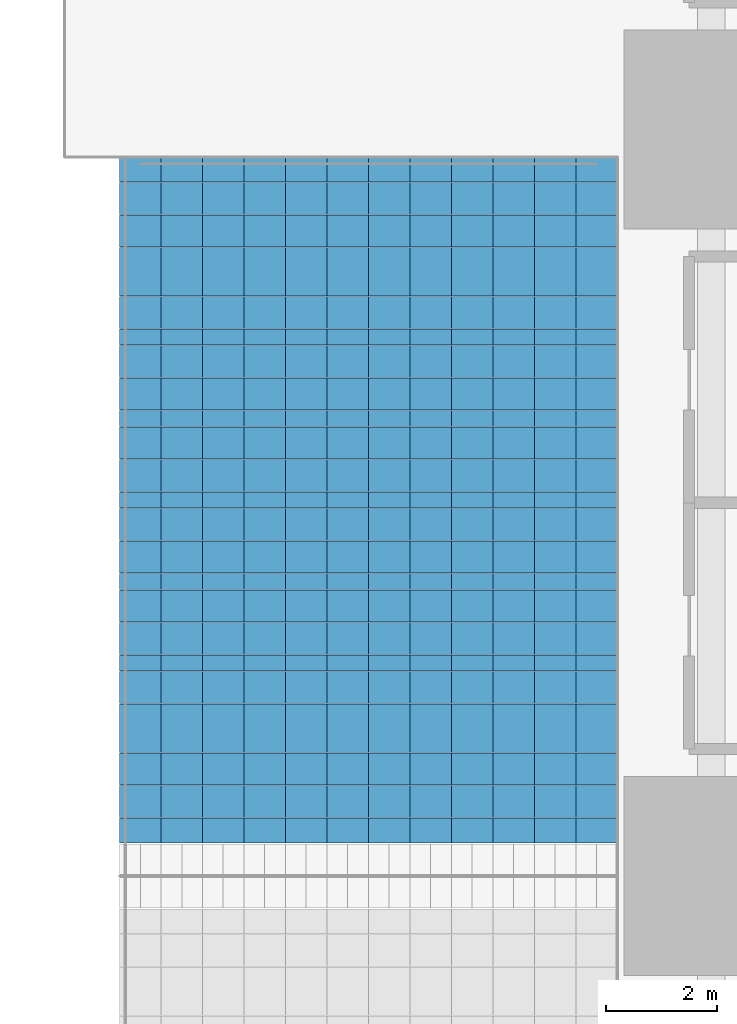
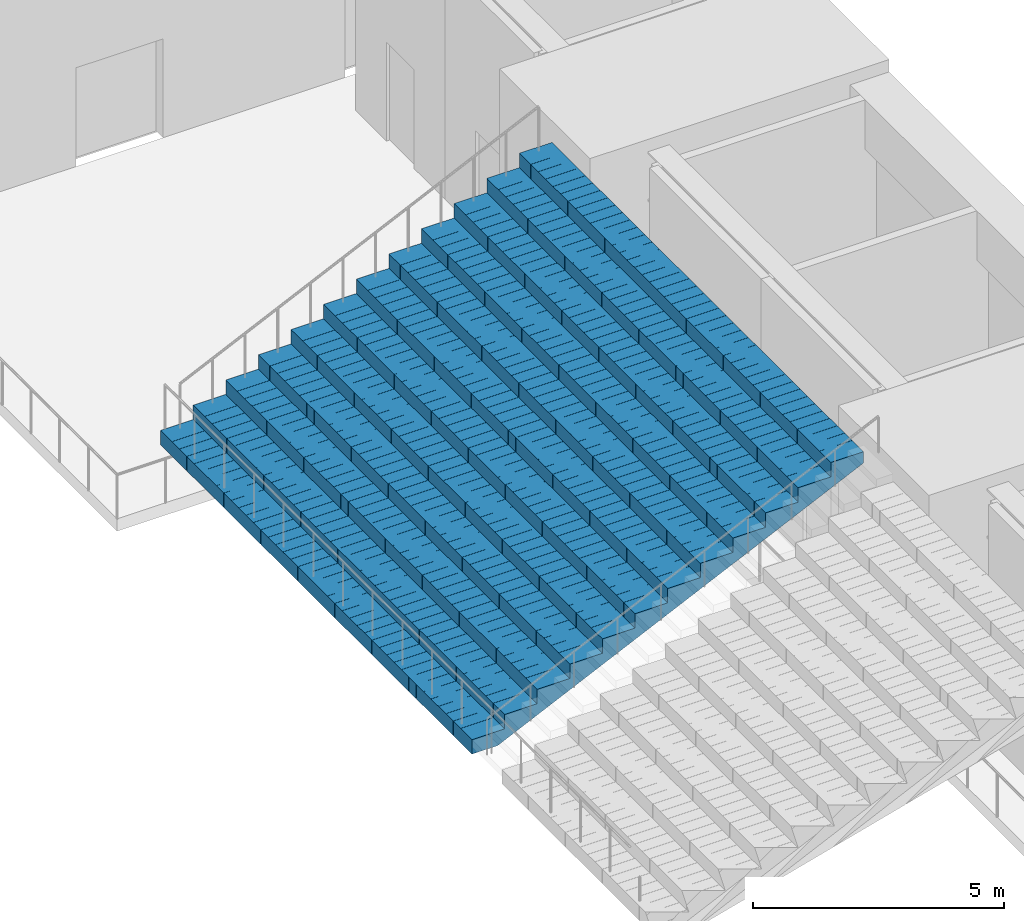
# One storey, part 26 of 61: 1 slab.
"""IFC4 building model written with IfcOpenShell, lengths in metres."""

import ifcopenshell
import ifcopenshell.guid

model = None  # the IFC model being written
_history = None  # IfcOwnerHistory: only IFC2X3 demands one
_inside = {}  # id of a spatial element -> (the spatial element, [elements in it])
_under = {}  # id of a project, library or spatial element -> (it, [spatial elements below it])
_declared = {}  # id of a project -> (the project, [libraries it declares])
_typed = {}  # id of a type object -> (the type object, [elements of that type])
_made_of = {}  # id of a material, layer set ... -> (it, [elements and type objects made of it])


def new_model(schema):
    """Start an empty IFC model of exactly this schema.

    Asked for "IFC4X3", IfcOpenShell would pick the latest addendum, in which some entities
    have other attributes; the version numbers below select the first issue.
    IFC2X3 requires an IfcOwnerHistory on every rooted entity: one is made here for all.
    """
    global model, _history
    if schema == "IFC4X3":
        model = ifcopenshell.file(schema_version=(4, 3, 0, 0))
    else:
        model = ifcopenshell.file(schema=schema)
    _inside.clear()
    _under.clear()
    _declared.clear()
    _typed.clear()
    _made_of.clear()
    _history = None
    if model.schema == "IFC2X3":
        org = make("IfcOrganization", Name="unknown")
        user = make(
            "IfcPersonAndOrganization",
            ThePerson=make("IfcPerson", FamilyName="unknown"),
            TheOrganization=org,
        )
        app = make(
            "IfcApplication",
            ApplicationDeveloper=org,
            Version="unknown",
            ApplicationFullName="unknown",
            ApplicationIdentifier="unknown",
        )
        _history = make(
            "IfcOwnerHistory",
            OwningUser=user,
            OwningApplication=app,
            ChangeAction="ADDED",
            CreationDate=0,
        )
    return model


def make(cls, **values):
    """One entity of the class cls with the attributes given. An attribute that is None is left unset."""
    return model.create_entity(
        cls, **{name: value for name, value in values.items() if value is not None}
    )


def rooted(cls, **values):
    """An entity with a GlobalId (a new one), such as an element, a storey or a relation."""
    return make(cls, GlobalId=ifcopenshell.guid.new(), OwnerHistory=_history, **values)


def si_unit(unit_type, name, prefix=None):
    """IfcSIUnit, for example si_unit("LENGTHUNIT", "METRE", prefix="MILLI")."""
    return make("IfcSIUnit", UnitType=unit_type, Prefix=prefix, Name=name)


def assignment(units):
    """IfcUnitAssignment: the units of a project."""
    return None if units is None else make("IfcUnitAssignment", Units=units)


def point(xyz):
    """IfcCartesianPoint."""
    return None if xyz is None else make("IfcCartesianPoint", Coordinates=xyz)


def direction(xyz):
    """IfcDirection."""
    return None if xyz is None else make("IfcDirection", DirectionRatios=xyz)


def frame(location, z_axis=None, x_axis=None):
    """IfcAxis2Placement3D, a coordinate frame: its origin and axes. An axis left out is left unset."""
    return make(
        "IfcAxis2Placement3D",
        Location=point(location),
        Axis=direction(z_axis),
        RefDirection=direction(x_axis),
    )


def origin():
    """The frame at (0, 0, 0) with its axes left unset."""
    return frame((0.0, 0.0, 0.0))


def place(relative_to, where):
    """IfcLocalPlacement: puts the frame where relative to a parent placement (None: the world)."""
    return make(
        "IfcLocalPlacement", PlacementRelTo=relative_to, RelativePlacement=where
    )


def context(
    kind, dimensions, precision=None, world=None, true_north=None, identifier=None
):
    """IfcGeometricRepresentationContext, for example the 3D "Model" context."""
    return make(
        "IfcGeometricRepresentationContext",
        ContextIdentifier=identifier,
        ContextType=kind,
        CoordinateSpaceDimension=dimensions,
        Precision=precision,
        WorldCoordinateSystem=world,
        TrueNorth=true_north,
    )


def subcontext(parent, identifier, kind, view, scale=None):
    """IfcGeometricRepresentationSubContext, for example "Body" below "Model"."""
    return make(
        "IfcGeometricRepresentationSubContext",
        ContextIdentifier=identifier,
        ContextType=kind,
        ParentContext=parent,
        TargetScale=scale,
        TargetView=view,
    )


def project(units=None, contexts=None):
    """IfcProject with its units and contexts."""
    return rooted(
        "IfcProject",
        Name="project",
        RepresentationContexts=contexts,
        UnitsInContext=assignment(units),
    )


def spatial(cls, under=None, at=None, **own):
    """A site, building, storey or space (cls), placed at a placement, below another one or the project."""
    s = rooted(cls, ObjectPlacement=at, **own)
    if under is not None:
        _under.setdefault(under.id(), (under, []))[1].append(s)
    return s


def polyline(points):
    """IfcPolyline through the points."""
    return make("IfcPolyline", Points=[point(p) for p in points])


def outline(outer, holes=None, kind="AREA"):
    """IfcArbitraryClosedProfileDef: a profile drawn as a closed curve; with holes, ...WithVoids."""
    if holes is None:
        return make("IfcArbitraryClosedProfileDef", ProfileType=kind, OuterCurve=outer)
    return make(
        "IfcArbitraryProfileDefWithVoids",
        ProfileType=kind,
        OuterCurve=outer,
        InnerCurves=holes,
    )


def extrude(swept, where, along, depth):
    """IfcExtrudedAreaSolid: the profile swept, set in the frame where, extruded along a direction by depth."""
    return make(
        "IfcExtrudedAreaSolid",
        SweptArea=swept,
        Position=where,
        ExtrudedDirection=direction(along),
        Depth=depth,
    )


def shape(context_of_items, identifier, shape_type, items):
    """IfcShapeRepresentation: the items that make up one representation, for example the "Body"."""
    return make(
        "IfcShapeRepresentation",
        ContextOfItems=context_of_items,
        RepresentationIdentifier=identifier,
        RepresentationType=shape_type,
        Items=items,
    )


def material(Name=None, Category=None):
    """IfcMaterial."""
    return make("IfcMaterial", Name=Name, Category=Category)


def layer(
    of_material, thickness, ventilated=None, Name=None, Category=None, Priority=None
):
    """IfcMaterialLayer: one layer of a wall or slab, of a material (None: an air gap)."""
    return make(
        "IfcMaterialLayer",
        Material=of_material,
        LayerThickness=thickness,
        IsVentilated=ventilated,
        Name=Name,
        Category=Category,
        Priority=Priority,
    )


def layer_set(layers, Name=None):
    """IfcMaterialLayerSet."""
    return make("IfcMaterialLayerSet", MaterialLayers=layers, LayerSetName=Name)


def made_of(thing, what):
    """Note that an element or type object is made of a material, layer set ...; save() writes the relation."""
    if what is not None:
        _made_of.setdefault(what.id(), (what, []))[1].append(thing)
    return thing


def type_object(cls, material=None, **own):
    """A type object (cls), such as IfcWallType, which elements share."""
    return made_of(rooted(cls, **own), material)


def element(
    cls,
    number,
    at=None,
    inside=None,
    cuts=None,
    type_object=None,
    material=None,
    context=None,
    identifier="Body",
    shape_type=None,
    held_by="IfcProductDefinitionShape",
    body=None,
    shapes=None,
    **own,
):
    """One element of the class cls, such as IfcWall. Its Tag is "e" and its number.

    at: its placement. inside: the storey or other place that contains it. cuts: it is an
    opening in that element (IfcRelVoidsElement). A single representation is given by context,
    identifier, shape_type and body (its items); several are given by shapes. held_by: the class
    of the entity that holds the representations. save() writes the other relations.
    """
    e = rooted(cls, Tag="e%d" % number, ObjectPlacement=at, **own)
    if body is not None:
        shapes = [shape(context, identifier, shape_type, body)]
    if shapes is not None:
        e.Representation = make(held_by, Representations=shapes)
    if inside is not None:
        _inside.setdefault(inside.id(), (inside, []))[1].append(e)
    if cuts is not None:
        rooted(
            "IfcRelVoidsElement", RelatingBuildingElement=cuts, RelatedOpeningElement=e
        )
    if type_object is not None:
        _typed.setdefault(type_object.id(), (type_object, []))[1].append(e)
    return made_of(e, material)


def aggregate(whole, parts):
    """IfcRelAggregates: a whole, such as a stair, and the parts it consists of."""
    return rooted("IfcRelAggregates", RelatingObject=whole, RelatedObjects=parts)


def save(model, path):
    """Write the relations noted so far, then the file.

    IfcRelAggregates (storeys below a building ...), IfcRelContainedInSpatialStructure (elements
    in a storey), IfcRelDefinesByType, IfcRelAssociatesMaterial and IfcRelDeclares: one each for
    every whole, place, type object, material and project.
    """
    for whole, parts in _under.values():
        aggregate(whole, parts)
    for where, things in _inside.values():
        rooted(
            "IfcRelContainedInSpatialStructure",
            RelatedElements=things,
            RelatingStructure=where,
        )
    for kind, things in _typed.values():
        rooted("IfcRelDefinesByType", RelatedObjects=things, RelatingType=kind)
    for what, things in _made_of.values():
        rooted("IfcRelAssociatesMaterial", RelatedObjects=things, RelatingMaterial=what)
    for by, libraries in _declared.values():
        rooted("IfcRelDeclares", RelatingContext=by, RelatedDefinitions=libraries)
    model.write(path)


model = new_model("IFC4")

# Units and contexts
model_context = context("Model", 3, precision=1e-05, world=origin(), true_north=direction((0.0, 1.0)))
body_context = subcontext(model_context, "Body", "Model", "MODEL_VIEW")
ifc_project = project(units=[si_unit("LENGTHUNIT", "METRE"), si_unit("AREAUNIT", "SQUARE_METRE"), si_unit("VOLUMEUNIT", "CUBIC_METRE"), si_unit("PLANEANGLEUNIT", "RADIAN"), si_unit("MASSUNIT", "GRAM", prefix="KILO")], contexts=[model_context])

# Site, building, storey
site_placement = place(None, origin())
site = spatial("IfcSite", under=ifc_project, at=site_placement, CompositionType="ELEMENT")
building_placement = place(site_placement, origin())
building = spatial("IfcBuilding", under=site, at=building_placement, Name="Corbelhall Arena Tower", CompositionType="ELEMENT")
storey_placement = place(building_placement, frame((0.0, 0.0, 31.0)))
storey = spatial("IfcBuildingStorey", under=building, at=storey_placement, Name="L04", CompositionType="ELEMENT", Elevation=31.0)

# Slab
ifc_material = material(Name="Precast concrete C40/50", Category="concrete")
ifc_layer = layer(ifc_material, 0.25)
ifc_layer_set = layer_set([ifc_layer], Name="AR-TIER-RAKED")
slab_type = type_object("IfcSlabType", Name="AR-TIER-RAKED", PredefinedType="FLOOR", material=ifc_layer_set)
slab_placement = place(storey_placement, frame((32.0, 6.800048828125, 1.449951171875), z_axis=(0.0, 0.0, 1.0), x_axis=(1.0, 0.0, 0.0)))
element("IfcSlab", 1, at=slab_placement, inside=storey, type_object=slab_type, Name="Tier section UEB", PredefinedType="FLOOR", context=body_context, shape_type="SweptSolid", body=[
    extrude(outline(polyline([(0.0, 0.0), (0.0, 0.35009765625), (0.75, 0.35009765625), (0.75, 0.699951171875), (1.5, 0.699951171875), (1.5, 1.050048828125), (2.25, 1.050048828125), (2.25, 1.39990234375), (3.0, 1.39990234375), (3.0, 1.75), (3.75, 1.75), (3.75, 2.10009765625), (4.5, 2.10009765625), (4.5, 2.449951171875), (5.25, 2.449951171875), (5.25, 2.800048828125), (6.0, 2.800048828125), (6.0, 3.14990234375), (6.75, 3.14990234375), (6.75, 3.5), (7.5, 3.5), (7.5, 3.85009765625), (8.25, 3.85009765625), (8.25, 4.199951171875), (9.0, 4.199951171875), (9.0, 4.550048828125), (9.0, 3.924072265625), (0.591064453125, 0.0), (0.0, 0.0)])), frame((0.0, 6.199951171875, 0.0), z_axis=(0.0, -1.0, 0.0), x_axis=(1.0, 0.0, 0.0)), (0.0, 0.0, 1.0), 0.449951171875),
    extrude(outline(polyline([(0.0, 0.0), (0.0, 0.35009765625), (0.75, 0.35009765625), (0.75, 0.699951171875), (1.5, 0.699951171875), (1.5, 1.050048828125), (2.25, 1.050048828125), (2.25, 1.39990234375), (3.0, 1.39990234375), (3.0, 1.75), (3.75, 1.75), (3.75, 2.10009765625), (4.5, 2.10009765625), (4.5, 2.449951171875), (5.25, 2.449951171875), (5.25, 2.800048828125), (6.0, 2.800048828125), (6.0, 3.14990234375), (6.75, 3.14990234375), (6.75, 3.5), (7.5, 3.5), (7.5, 3.85009765625), (8.25, 3.85009765625), (8.25, 4.199951171875), (9.0, 4.199951171875), (9.0, 4.550048828125), (9.0, 3.924072265625), (0.591064453125, 0.0), (0.0, 0.0)])), frame((0.0, 5.745849609375, 0.0), z_axis=(0.0, -1.0, 0.0), x_axis=(1.0, 0.0, 0.0)), (0.0, 0.0, 1.0), 0.290771484375),
    extrude(outline(polyline([(0.0, 0.0), (0.0, 0.35009765625), (0.75, 0.35009765625), (0.75, 0.699951171875), (1.5, 0.699951171875), (1.5, 1.050048828125), (2.25, 1.050048828125), (2.25, 1.39990234375), (3.0, 1.39990234375), (3.0, 1.75), (3.75, 1.75), (3.75, 2.10009765625), (4.5, 2.10009765625), (4.5, 2.449951171875), (5.25, 2.449951171875), (5.25, 2.800048828125), (6.0, 2.800048828125), (6.0, 3.14990234375), (6.75, 3.14990234375), (6.75, 3.5), (7.5, 3.5), (7.5, 3.85009765625), (8.25, 3.85009765625), (8.25, 4.199951171875), (9.0, 4.199951171875), (9.0, 4.550048828125), (9.0, 3.924072265625), (0.591064453125, 0.0), (0.0, 0.0)])), frame((0.0, 5.451171875, 0.0), z_axis=(0.0, -1.0, 0.0), x_axis=(1.0, 0.0, 0.0)), (0.0, 0.0, 1.0), 0.290771484375),
    extrude(outline(polyline([(0.0, 0.0), (0.0, 0.35009765625), (0.75, 0.35009765625), (0.75, 0.699951171875), (1.5, 0.699951171875), (1.5, 1.050048828125), (2.25, 1.050048828125), (2.25, 1.39990234375), (3.0, 1.39990234375), (3.0, 1.75), (3.75, 1.75), (3.75, 2.10009765625), (4.5, 2.10009765625), (4.5, 2.449951171875), (5.25, 2.449951171875), (5.25, 2.800048828125), (6.0, 2.800048828125), (6.0, 3.14990234375), (6.75, 3.14990234375), (6.75, 3.5), (7.5, 3.5), (7.5, 3.85009765625), (8.25, 3.85009765625), (8.25, 4.199951171875), (9.0, 4.199951171875), (9.0, 4.550048828125), (9.0, 3.924072265625), (0.591064453125, 0.0), (0.0, 0.0)])), frame((0.0, 5.156494140625, 0.0), z_axis=(0.0, -1.0, 0.0), x_axis=(1.0, 0.0, 0.0)), (0.0, 0.0, 1.0), 0.290771484375),
    extrude(outline(polyline([(0.0, 0.0), (0.0, 0.35009765625), (0.75, 0.35009765625), (0.75, 0.699951171875), (1.5, 0.699951171875), (1.5, 1.050048828125), (2.25, 1.050048828125), (2.25, 1.39990234375), (3.0, 1.39990234375), (3.0, 1.75), (3.75, 1.75), (3.75, 2.10009765625), (4.5, 2.10009765625), (4.5, 2.449951171875), (5.25, 2.449951171875), (5.25, 2.800048828125), (6.0, 2.800048828125), (6.0, 3.14990234375), (6.75, 3.14990234375), (6.75, 3.5), (7.5, 3.5), (7.5, 3.85009765625), (8.25, 3.85009765625), (8.25, 4.199951171875), (9.0, 4.199951171875), (9.0, 4.550048828125), (9.0, 3.924072265625), (0.591064453125, 0.0), (0.0, 0.0)])), frame((0.0, 4.861572265625, 0.0), z_axis=(0.0, -1.0, 0.0), x_axis=(1.0, 0.0, 0.0)), (0.0, 0.0, 1.0), 0.290771484375),
    extrude(outline(polyline([(0.0, 0.0), (0.0, 0.35009765625), (0.75, 0.35009765625), (0.75, 0.699951171875), (1.5, 0.699951171875), (1.5, 1.050048828125), (2.25, 1.050048828125), (2.25, 1.39990234375), (3.0, 1.39990234375), (3.0, 1.75), (3.75, 1.75), (3.75, 2.10009765625), (4.5, 2.10009765625), (4.5, 2.449951171875), (5.25, 2.449951171875), (5.25, 2.800048828125), (6.0, 2.800048828125), (6.0, 3.14990234375), (6.75, 3.14990234375), (6.75, 3.5), (7.5, 3.5), (7.5, 3.85009765625), (8.25, 3.85009765625), (8.25, 4.199951171875), (9.0, 4.199951171875), (9.0, 4.550048828125), (9.0, 3.924072265625), (0.591064453125, 0.0), (0.0, 0.0)])), frame((0.0, 4.56689453125, 0.0), z_axis=(0.0, -1.0, 0.0), x_axis=(1.0, 0.0, 0.0)), (0.0, 0.0, 1.0), 0.290771484375),
    extrude(outline(polyline([(0.0, 0.0), (0.0, 0.35009765625), (0.75, 0.35009765625), (0.75, 0.699951171875), (1.5, 0.699951171875), (1.5, 1.050048828125), (2.25, 1.050048828125), (2.25, 1.39990234375), (3.0, 1.39990234375), (3.0, 1.75), (3.75, 1.75), (3.75, 2.10009765625), (4.5, 2.10009765625), (4.5, 2.449951171875), (5.25, 2.449951171875), (5.25, 2.800048828125), (6.0, 2.800048828125), (6.0, 3.14990234375), (6.75, 3.14990234375), (6.75, 3.5), (7.5, 3.5), (7.5, 3.85009765625), (8.25, 3.85009765625), (8.25, 4.199951171875), (9.0, 4.199951171875), (9.0, 4.550048828125), (9.0, 3.924072265625), (0.591064453125, 0.0), (0.0, 0.0)])), frame((0.0, 4.272216796875, 0.0), z_axis=(0.0, -1.0, 0.0), x_axis=(1.0, 0.0, 0.0)), (0.0, 0.0, 1.0), 0.290771484375),
    extrude(outline(polyline([(0.0, 0.0), (0.0, 0.35009765625), (0.75, 0.35009765625), (0.75, 0.699951171875), (1.5, 0.699951171875), (1.5, 1.050048828125), (2.25, 1.050048828125), (2.25, 1.39990234375), (3.0, 1.39990234375), (3.0, 1.75), (3.75, 1.75), (3.75, 2.10009765625), (4.5, 2.10009765625), (4.5, 2.449951171875), (5.25, 2.449951171875), (5.25, 2.800048828125), (6.0, 2.800048828125), (6.0, 3.14990234375), (6.75, 3.14990234375), (6.75, 3.5), (7.5, 3.5), (7.5, 3.85009765625), (8.25, 3.85009765625), (8.25, 4.199951171875), (9.0, 4.199951171875), (9.0, 4.550048828125), (9.0, 3.924072265625), (0.591064453125, 0.0), (0.0, 0.0)])), frame((0.0, 3.977294921875, 0.0), z_axis=(0.0, -1.0, 0.0), x_axis=(1.0, 0.0, 0.0)), (0.0, 0.0, 1.0), 0.290771484375),
    extrude(outline(polyline([(0.0, 0.0), (0.0, 0.35009765625), (0.75, 0.35009765625), (0.75, 0.699951171875), (1.5, 0.699951171875), (1.5, 1.050048828125), (2.25, 1.050048828125), (2.25, 1.39990234375), (3.0, 1.39990234375), (3.0, 1.75), (3.75, 1.75), (3.75, 2.10009765625), (4.5, 2.10009765625), (4.5, 2.449951171875), (5.25, 2.449951171875), (5.25, 2.800048828125), (6.0, 2.800048828125), (6.0, 3.14990234375), (6.75, 3.14990234375), (6.75, 3.5), (7.5, 3.5), (7.5, 3.85009765625), (8.25, 3.85009765625), (8.25, 4.199951171875), (9.0, 4.199951171875), (9.0, 4.550048828125), (9.0, 3.924072265625), (0.591064453125, 0.0), (0.0, 0.0)])), frame((0.0, 3.6826171875, 0.0), z_axis=(0.0, -1.0, 0.0), x_axis=(1.0, 0.0, 0.0)), (0.0, 0.0, 1.0), 0.290771484375),
    extrude(outline(polyline([(0.0, 0.0), (0.0, 0.35009765625), (0.75, 0.35009765625), (0.75, 0.699951171875), (1.5, 0.699951171875), (1.5, 1.050048828125), (2.25, 1.050048828125), (2.25, 1.39990234375), (3.0, 1.39990234375), (3.0, 1.75), (3.75, 1.75), (3.75, 2.10009765625), (4.5, 2.10009765625), (4.5, 2.449951171875), (5.25, 2.449951171875), (5.25, 2.800048828125), (6.0, 2.800048828125), (6.0, 3.14990234375), (6.75, 3.14990234375), (6.75, 3.5), (7.5, 3.5), (7.5, 3.85009765625), (8.25, 3.85009765625), (8.25, 4.199951171875), (9.0, 4.199951171875), (9.0, 4.550048828125), (9.0, 3.924072265625), (0.591064453125, 0.0), (0.0, 0.0)])), frame((0.0, 3.3876953125, 0.0), z_axis=(0.0, -1.0, 0.0), x_axis=(1.0, 0.0, 0.0)), (0.0, 0.0, 1.0), 0.290771484375),
    extrude(outline(polyline([(0.0, 0.0), (0.0, 0.35009765625), (0.75, 0.35009765625), (0.75, 0.699951171875), (1.5, 0.699951171875), (1.5, 1.050048828125), (2.25, 1.050048828125), (2.25, 1.39990234375), (3.0, 1.39990234375), (3.0, 1.75), (3.75, 1.75), (3.75, 2.10009765625), (4.5, 2.10009765625), (4.5, 2.449951171875), (5.25, 2.449951171875), (5.25, 2.800048828125), (6.0, 2.800048828125), (6.0, 3.14990234375), (6.75, 3.14990234375), (6.75, 3.5), (7.5, 3.5), (7.5, 3.85009765625), (8.25, 3.85009765625), (8.25, 4.199951171875), (9.0, 4.199951171875), (9.0, 4.550048828125), (9.0, 3.924072265625), (0.591064453125, 0.0), (0.0, 0.0)])), frame((0.0, 3.093017578125, 0.0), z_axis=(0.0, -1.0, 0.0), x_axis=(1.0, 0.0, 0.0)), (0.0, 0.0, 1.0), 0.290771484375),
    extrude(outline(polyline([(0.0, 0.0), (0.0, 0.35009765625), (0.75, 0.35009765625), (0.75, 0.699951171875), (1.5, 0.699951171875), (1.5, 1.050048828125), (2.25, 1.050048828125), (2.25, 1.39990234375), (3.0, 1.39990234375), (3.0, 1.75), (3.75, 1.75), (3.75, 2.10009765625), (4.5, 2.10009765625), (4.5, 2.449951171875), (5.25, 2.449951171875), (5.25, 2.800048828125), (6.0, 2.800048828125), (6.0, 3.14990234375), (6.75, 3.14990234375), (6.75, 3.5), (7.5, 3.5), (7.5, 3.85009765625), (8.25, 3.85009765625), (8.25, 4.199951171875), (9.0, 4.199951171875), (9.0, 4.550048828125), (9.0, 3.924072265625), (0.591064453125, 0.0), (0.0, 0.0)])), frame((0.0, 2.79833984375, 0.0), z_axis=(0.0, -1.0, 0.0), x_axis=(1.0, 0.0, 0.0)), (0.0, 0.0, 1.0), 0.290771484375),
    extrude(outline(polyline([(0.0, 0.0), (0.0, 0.35009765625), (0.75, 0.35009765625), (0.75, 0.699951171875), (1.5, 0.699951171875), (1.5, 1.050048828125), (2.25, 1.050048828125), (2.25, 1.39990234375), (3.0, 1.39990234375), (3.0, 1.75), (3.75, 1.75), (3.75, 2.10009765625), (4.5, 2.10009765625), (4.5, 2.449951171875), (5.25, 2.449951171875), (5.25, 2.800048828125), (6.0, 2.800048828125), (6.0, 3.14990234375), (6.75, 3.14990234375), (6.75, 3.5), (7.5, 3.5), (7.5, 3.85009765625), (8.25, 3.85009765625), (8.25, 4.199951171875), (9.0, 4.199951171875), (9.0, 4.550048828125), (9.0, 3.924072265625), (0.591064453125, 0.0), (0.0, 0.0)])), frame((0.0, 2.50341796875, 0.0), z_axis=(0.0, -1.0, 0.0), x_axis=(1.0, 0.0, 0.0)), (0.0, 0.0, 1.0), 0.290771484375),
    extrude(outline(polyline([(0.0, 0.0), (0.0, 0.35009765625), (0.75, 0.35009765625), (0.75, 0.699951171875), (1.5, 0.699951171875), (1.5, 1.050048828125), (2.25, 1.050048828125), (2.25, 1.39990234375), (3.0, 1.39990234375), (3.0, 1.75), (3.75, 1.75), (3.75, 2.10009765625), (4.5, 2.10009765625), (4.5, 2.449951171875), (5.25, 2.449951171875), (5.25, 2.800048828125), (6.0, 2.800048828125), (6.0, 3.14990234375), (6.75, 3.14990234375), (6.75, 3.5), (7.5, 3.5), (7.5, 3.85009765625), (8.25, 3.85009765625), (8.25, 4.199951171875), (9.0, 4.199951171875), (9.0, 4.550048828125), (9.0, 3.924072265625), (0.591064453125, 0.0), (0.0, 0.0)])), frame((0.0, 2.208740234375, 0.0), z_axis=(0.0, -1.0, 0.0), x_axis=(1.0, 0.0, 0.0)), (0.0, 0.0, 1.0), 0.290771484375),
    extrude(outline(polyline([(0.0, 0.0), (0.0, 0.35009765625), (0.75, 0.35009765625), (0.75, 0.699951171875), (1.5, 0.699951171875), (1.5, 1.050048828125), (2.25, 1.050048828125), (2.25, 1.39990234375), (3.0, 1.39990234375), (3.0, 1.75), (3.75, 1.75), (3.75, 2.10009765625), (4.5, 2.10009765625), (4.5, 2.449951171875), (5.25, 2.449951171875), (5.25, 2.800048828125), (6.0, 2.800048828125), (6.0, 3.14990234375), (6.75, 3.14990234375), (6.75, 3.5), (7.5, 3.5), (7.5, 3.85009765625), (8.25, 3.85009765625), (8.25, 4.199951171875), (9.0, 4.199951171875), (9.0, 4.550048828125), (9.0, 3.924072265625), (0.591064453125, 0.0), (0.0, 0.0)])), frame((0.0, 1.9140625, 0.0), z_axis=(0.0, -1.0, 0.0), x_axis=(1.0, 0.0, 0.0)), (0.0, 0.0, 1.0), 0.290771484375),
    extrude(outline(polyline([(0.0, 0.0), (0.0, 0.35009765625), (0.75, 0.35009765625), (0.75, 0.699951171875), (1.5, 0.699951171875), (1.5, 1.050048828125), (2.25, 1.050048828125), (2.25, 1.39990234375), (3.0, 1.39990234375), (3.0, 1.75), (3.75, 1.75), (3.75, 2.10009765625), (4.5, 2.10009765625), (4.5, 2.449951171875), (5.25, 2.449951171875), (5.25, 2.800048828125), (6.0, 2.800048828125), (6.0, 3.14990234375), (6.75, 3.14990234375), (6.75, 3.5), (7.5, 3.5), (7.5, 3.85009765625), (8.25, 3.85009765625), (8.25, 4.199951171875), (9.0, 4.199951171875), (9.0, 4.550048828125), (9.0, 3.924072265625), (0.591064453125, 0.0), (0.0, 0.0)])), frame((0.0, 1.619140625, 0.0), z_axis=(0.0, -1.0, 0.0), x_axis=(1.0, 0.0, 0.0)), (0.0, 0.0, 1.0), 0.290771484375),
    extrude(outline(polyline([(0.0, 0.0), (0.0, 0.35009765625), (0.75, 0.35009765625), (0.75, 0.699951171875), (1.5, 0.699951171875), (1.5, 1.050048828125), (2.25, 1.050048828125), (2.25, 1.39990234375), (3.0, 1.39990234375), (3.0, 1.75), (3.75, 1.75), (3.75, 2.10009765625), (4.5, 2.10009765625), (4.5, 2.449951171875), (5.25, 2.449951171875), (5.25, 2.800048828125), (6.0, 2.800048828125), (6.0, 3.14990234375), (6.75, 3.14990234375), (6.75, 3.5), (7.5, 3.5), (7.5, 3.85009765625), (8.25, 3.85009765625), (8.25, 4.199951171875), (9.0, 4.199951171875), (9.0, 4.550048828125), (9.0, 3.924072265625), (0.591064453125, 0.0), (0.0, 0.0)])), frame((0.0, 1.324462890625, 0.0), z_axis=(0.0, -1.0, 0.0), x_axis=(1.0, 0.0, 0.0)), (0.0, 0.0, 1.0), 0.290771484375),
    extrude(outline(polyline([(0.0, 0.0), (0.0, 0.35009765625), (0.75, 0.35009765625), (0.75, 0.699951171875), (1.5, 0.699951171875), (1.5, 1.050048828125), (2.25, 1.050048828125), (2.25, 1.39990234375), (3.0, 1.39990234375), (3.0, 1.75), (3.75, 1.75), (3.75, 2.10009765625), (4.5, 2.10009765625), (4.5, 2.449951171875), (5.25, 2.449951171875), (5.25, 2.800048828125), (6.0, 2.800048828125), (6.0, 3.14990234375), (6.75, 3.14990234375), (6.75, 3.5), (7.5, 3.5), (7.5, 3.85009765625), (8.25, 3.85009765625), (8.25, 4.199951171875), (9.0, 4.199951171875), (9.0, 4.550048828125), (9.0, 3.924072265625), (0.591064453125, 0.0), (0.0, 0.0)])), frame((0.0, 1.02978515625, 0.0), z_axis=(0.0, -1.0, 0.0), x_axis=(1.0, 0.0, 0.0)), (0.0, 0.0, 1.0), 0.290771484375),
    extrude(outline(polyline([(0.0, 0.0), (0.0, 0.35009765625), (0.75, 0.35009765625), (0.75, 0.699951171875), (1.5, 0.699951171875), (1.5, 1.050048828125), (2.25, 1.050048828125), (2.25, 1.39990234375), (3.0, 1.39990234375), (3.0, 1.75), (3.75, 1.75), (3.75, 2.10009765625), (4.5, 2.10009765625), (4.5, 2.449951171875), (5.25, 2.449951171875), (5.25, 2.800048828125), (6.0, 2.800048828125), (6.0, 3.14990234375), (6.75, 3.14990234375), (6.75, 3.5), (7.5, 3.5), (7.5, 3.85009765625), (8.25, 3.85009765625), (8.25, 4.199951171875), (9.0, 4.199951171875), (9.0, 4.550048828125), (9.0, 3.924072265625), (0.591064453125, 0.0), (0.0, 0.0)])), frame((0.0, 0.73486328125, 0.0), z_axis=(0.0, -1.0, 0.0), x_axis=(1.0, 0.0, 0.0)), (0.0, 0.0, 1.0), 0.290771484375),
    extrude(outline(polyline([(0.0, 0.0), (0.0, 0.35009765625), (0.75, 0.35009765625), (0.75, 0.699951171875), (1.5, 0.699951171875), (1.5, 1.050048828125), (2.25, 1.050048828125), (2.25, 1.39990234375), (3.0, 1.39990234375), (3.0, 1.75), (3.75, 1.75), (3.75, 2.10009765625), (4.5, 2.10009765625), (4.5, 2.449951171875), (5.25, 2.449951171875), (5.25, 2.800048828125), (6.0, 2.800048828125), (6.0, 3.14990234375), (6.75, 3.14990234375), (6.75, 3.5), (7.5, 3.5), (7.5, 3.85009765625), (8.25, 3.85009765625), (8.25, 4.199951171875), (9.0, 4.199951171875), (9.0, 4.550048828125), (9.0, 3.924072265625), (0.591064453125, 0.0), (0.0, 0.0)])), frame((0.0, 0.440185546875, 0.0), z_axis=(0.0, -1.0, 0.0), x_axis=(1.0, 0.0, 0.0)), (0.0, 0.0, 1.0), 0.290771484375),
    extrude(outline(polyline([(0.0, 0.0), (0.0, 0.35009765625), (0.75, 0.35009765625), (0.75, 0.699951171875), (1.5, 0.699951171875), (1.5, 1.050048828125), (2.25, 1.050048828125), (2.25, 1.39990234375), (3.0, 1.39990234375), (3.0, 1.75), (3.75, 1.75), (3.75, 2.10009765625), (4.5, 2.10009765625), (4.5, 2.449951171875), (5.25, 2.449951171875), (5.25, 2.800048828125), (6.0, 2.800048828125), (6.0, 3.14990234375), (6.75, 3.14990234375), (6.75, 3.5), (7.5, 3.5), (7.5, 3.85009765625), (8.25, 3.85009765625), (8.25, 4.199951171875), (9.0, 4.199951171875), (9.0, 4.550048828125), (9.0, 3.924072265625), (0.591064453125, 0.0), (0.0, 0.0)])), frame((0.0, 0.145263671875, 0.0), z_axis=(0.0, -1.0, 0.0), x_axis=(1.0, 0.0, 0.0)), (0.0, 0.0, 1.0), 0.290771484375),
    extrude(outline(polyline([(0.0, 0.0), (0.0, 0.35009765625), (0.75, 0.35009765625), (0.75, 0.699951171875), (1.5, 0.699951171875), (1.5, 1.050048828125), (2.25, 1.050048828125), (2.25, 1.39990234375), (3.0, 1.39990234375), (3.0, 1.75), (3.75, 1.75), (3.75, 2.10009765625), (4.5, 2.10009765625), (4.5, 2.449951171875), (5.25, 2.449951171875), (5.25, 2.800048828125), (6.0, 2.800048828125), (6.0, 3.14990234375), (6.75, 3.14990234375), (6.75, 3.5), (7.5, 3.5), (7.5, 3.85009765625), (8.25, 3.85009765625), (8.25, 4.199951171875), (9.0, 4.199951171875), (9.0, 4.550048828125), (9.0, 3.924072265625), (0.591064453125, 0.0), (0.0, 0.0)])), frame((0.0, -0.1494140625, 0.0), z_axis=(0.0, -1.0, 0.0), x_axis=(1.0, 0.0, 0.0)), (0.0, 0.0, 1.0), 0.290771484375),
    extrude(outline(polyline([(0.0, 0.0), (0.0, 0.35009765625), (0.75, 0.35009765625), (0.75, 0.699951171875), (1.5, 0.699951171875), (1.5, 1.050048828125), (2.25, 1.050048828125), (2.25, 1.39990234375), (3.0, 1.39990234375), (3.0, 1.75), (3.75, 1.75), (3.75, 2.10009765625), (4.5, 2.10009765625), (4.5, 2.449951171875), (5.25, 2.449951171875), (5.25, 2.800048828125), (6.0, 2.800048828125), (6.0, 3.14990234375), (6.75, 3.14990234375), (6.75, 3.5), (7.5, 3.5), (7.5, 3.85009765625), (8.25, 3.85009765625), (8.25, 4.199951171875), (9.0, 4.199951171875), (9.0, 4.550048828125), (9.0, 3.924072265625), (0.591064453125, 0.0), (0.0, 0.0)])), frame((0.0, -0.444091796875, 0.0), z_axis=(0.0, -1.0, 0.0), x_axis=(1.0, 0.0, 0.0)), (0.0, 0.0, 1.0), 0.290771484375),
    extrude(outline(polyline([(0.0, 0.0), (0.0, 0.35009765625), (0.75, 0.35009765625), (0.75, 0.699951171875), (1.5, 0.699951171875), (1.5, 1.050048828125), (2.25, 1.050048828125), (2.25, 1.39990234375), (3.0, 1.39990234375), (3.0, 1.75), (3.75, 1.75), (3.75, 2.10009765625), (4.5, 2.10009765625), (4.5, 2.449951171875), (5.25, 2.449951171875), (5.25, 2.800048828125), (6.0, 2.800048828125), (6.0, 3.14990234375), (6.75, 3.14990234375), (6.75, 3.5), (7.5, 3.5), (7.5, 3.85009765625), (8.25, 3.85009765625), (8.25, 4.199951171875), (9.0, 4.199951171875), (9.0, 4.550048828125), (9.0, 3.924072265625), (0.591064453125, 0.0), (0.0, 0.0)])), frame((0.0, -0.739013671875, 0.0), z_axis=(0.0, -1.0, 0.0), x_axis=(1.0, 0.0, 0.0)), (0.0, 0.0, 1.0), 0.290771484375),
    extrude(outline(polyline([(0.0, 0.0), (0.0, 0.35009765625), (0.75, 0.35009765625), (0.75, 0.699951171875), (1.5, 0.699951171875), (1.5, 1.050048828125), (2.25, 1.050048828125), (2.25, 1.39990234375), (3.0, 1.39990234375), (3.0, 1.75), (3.75, 1.75), (3.75, 2.10009765625), (4.5, 2.10009765625), (4.5, 2.449951171875), (5.25, 2.449951171875), (5.25, 2.800048828125), (6.0, 2.800048828125), (6.0, 3.14990234375), (6.75, 3.14990234375), (6.75, 3.5), (7.5, 3.5), (7.5, 3.85009765625), (8.25, 3.85009765625), (8.25, 4.199951171875), (9.0, 4.199951171875), (9.0, 4.550048828125), (9.0, 3.924072265625), (0.591064453125, 0.0), (0.0, 0.0)])), frame((0.0, -1.03369140625, 0.0), z_axis=(0.0, -1.0, 0.0), x_axis=(1.0, 0.0, 0.0)), (0.0, 0.0, 1.0), 0.290771484375),
    extrude(outline(polyline([(0.0, 0.0), (0.0, 0.35009765625), (0.75, 0.35009765625), (0.75, 0.699951171875), (1.5, 0.699951171875), (1.5, 1.050048828125), (2.25, 1.050048828125), (2.25, 1.39990234375), (3.0, 1.39990234375), (3.0, 1.75), (3.75, 1.75), (3.75, 2.10009765625), (4.5, 2.10009765625), (4.5, 2.449951171875), (5.25, 2.449951171875), (5.25, 2.800048828125), (6.0, 2.800048828125), (6.0, 3.14990234375), (6.75, 3.14990234375), (6.75, 3.5), (7.5, 3.5), (7.5, 3.85009765625), (8.25, 3.85009765625), (8.25, 4.199951171875), (9.0, 4.199951171875), (9.0, 4.550048828125), (9.0, 3.924072265625), (0.591064453125, 0.0), (0.0, 0.0)])), frame((0.0, -1.328369140625, 0.0), z_axis=(0.0, -1.0, 0.0), x_axis=(1.0, 0.0, 0.0)), (0.0, 0.0, 1.0), 0.290771484375),
    extrude(outline(polyline([(0.0, 0.0), (0.0, 0.35009765625), (0.75, 0.35009765625), (0.75, 0.699951171875), (1.5, 0.699951171875), (1.5, 1.050048828125), (2.25, 1.050048828125), (2.25, 1.39990234375), (3.0, 1.39990234375), (3.0, 1.75), (3.75, 1.75), (3.75, 2.10009765625), (4.5, 2.10009765625), (4.5, 2.449951171875), (5.25, 2.449951171875), (5.25, 2.800048828125), (6.0, 2.800048828125), (6.0, 3.14990234375), (6.75, 3.14990234375), (6.75, 3.5), (7.5, 3.5), (7.5, 3.85009765625), (8.25, 3.85009765625), (8.25, 4.199951171875), (9.0, 4.199951171875), (9.0, 4.550048828125), (9.0, 3.924072265625), (0.591064453125, 0.0), (0.0, 0.0)])), frame((0.0, -1.623291015625, 0.0), z_axis=(0.0, -1.0, 0.0), x_axis=(1.0, 0.0, 0.0)), (0.0, 0.0, 1.0), 0.290771484375),
    extrude(outline(polyline([(0.0, 0.0), (0.0, 0.35009765625), (0.75, 0.35009765625), (0.75, 0.699951171875), (1.5, 0.699951171875), (1.5, 1.050048828125), (2.25, 1.050048828125), (2.25, 1.39990234375), (3.0, 1.39990234375), (3.0, 1.75), (3.75, 1.75), (3.75, 2.10009765625), (4.5, 2.10009765625), (4.5, 2.449951171875), (5.25, 2.449951171875), (5.25, 2.800048828125), (6.0, 2.800048828125), (6.0, 3.14990234375), (6.75, 3.14990234375), (6.75, 3.5), (7.5, 3.5), (7.5, 3.85009765625), (8.25, 3.85009765625), (8.25, 4.199951171875), (9.0, 4.199951171875), (9.0, 4.550048828125), (9.0, 3.924072265625), (0.591064453125, 0.0), (0.0, 0.0)])), frame((0.0, -1.91796875, 0.0), z_axis=(0.0, -1.0, 0.0), x_axis=(1.0, 0.0, 0.0)), (0.0, 0.0, 1.0), 0.290771484375),
    extrude(outline(polyline([(0.0, 0.0), (0.0, 0.35009765625), (0.75, 0.35009765625), (0.75, 0.699951171875), (1.5, 0.699951171875), (1.5, 1.050048828125), (2.25, 1.050048828125), (2.25, 1.39990234375), (3.0, 1.39990234375), (3.0, 1.75), (3.75, 1.75), (3.75, 2.10009765625), (4.5, 2.10009765625), (4.5, 2.449951171875), (5.25, 2.449951171875), (5.25, 2.800048828125), (6.0, 2.800048828125), (6.0, 3.14990234375), (6.75, 3.14990234375), (6.75, 3.5), (7.5, 3.5), (7.5, 3.85009765625), (8.25, 3.85009765625), (8.25, 4.199951171875), (9.0, 4.199951171875), (9.0, 4.550048828125), (9.0, 3.924072265625), (0.591064453125, 0.0), (0.0, 0.0)])), frame((0.0, -2.212646484375, 0.0), z_axis=(0.0, -1.0, 0.0), x_axis=(1.0, 0.0, 0.0)), (0.0, 0.0, 1.0), 0.290771484375),
    extrude(outline(polyline([(0.0, 0.0), (0.0, 0.35009765625), (0.75, 0.35009765625), (0.75, 0.699951171875), (1.5, 0.699951171875), (1.5, 1.050048828125), (2.25, 1.050048828125), (2.25, 1.39990234375), (3.0, 1.39990234375), (3.0, 1.75), (3.75, 1.75), (3.75, 2.10009765625), (4.5, 2.10009765625), (4.5, 2.449951171875), (5.25, 2.449951171875), (5.25, 2.800048828125), (6.0, 2.800048828125), (6.0, 3.14990234375), (6.75, 3.14990234375), (6.75, 3.5), (7.5, 3.5), (7.5, 3.85009765625), (8.25, 3.85009765625), (8.25, 4.199951171875), (9.0, 4.199951171875), (9.0, 4.550048828125), (9.0, 3.924072265625), (0.591064453125, 0.0), (0.0, 0.0)])), frame((0.0, -2.507568359375, 0.0), z_axis=(0.0, -1.0, 0.0), x_axis=(1.0, 0.0, 0.0)), (0.0, 0.0, 1.0), 0.290771484375),
    extrude(outline(polyline([(0.0, 0.0), (0.0, 0.35009765625), (0.75, 0.35009765625), (0.75, 0.699951171875), (1.5, 0.699951171875), (1.5, 1.050048828125), (2.25, 1.050048828125), (2.25, 1.39990234375), (3.0, 1.39990234375), (3.0, 1.75), (3.75, 1.75), (3.75, 2.10009765625), (4.5, 2.10009765625), (4.5, 2.449951171875), (5.25, 2.449951171875), (5.25, 2.800048828125), (6.0, 2.800048828125), (6.0, 3.14990234375), (6.75, 3.14990234375), (6.75, 3.5), (7.5, 3.5), (7.5, 3.85009765625), (8.25, 3.85009765625), (8.25, 4.199951171875), (9.0, 4.199951171875), (9.0, 4.550048828125), (9.0, 3.924072265625), (0.591064453125, 0.0), (0.0, 0.0)])), frame((0.0, -2.80224609375, 0.0), z_axis=(0.0, -1.0, 0.0), x_axis=(1.0, 0.0, 0.0)), (0.0, 0.0, 1.0), 0.290771484375),
    extrude(outline(polyline([(0.0, 0.0), (0.0, 0.35009765625), (0.75, 0.35009765625), (0.75, 0.699951171875), (1.5, 0.699951171875), (1.5, 1.050048828125), (2.25, 1.050048828125), (2.25, 1.39990234375), (3.0, 1.39990234375), (3.0, 1.75), (3.75, 1.75), (3.75, 2.10009765625), (4.5, 2.10009765625), (4.5, 2.449951171875), (5.25, 2.449951171875), (5.25, 2.800048828125), (6.0, 2.800048828125), (6.0, 3.14990234375), (6.75, 3.14990234375), (6.75, 3.5), (7.5, 3.5), (7.5, 3.85009765625), (8.25, 3.85009765625), (8.25, 4.199951171875), (9.0, 4.199951171875), (9.0, 4.550048828125), (9.0, 3.924072265625), (0.591064453125, 0.0), (0.0, 0.0)])), frame((0.0, -3.09716796875, 0.0), z_axis=(0.0, -1.0, 0.0), x_axis=(1.0, 0.0, 0.0)), (0.0, 0.0, 1.0), 0.290771484375),
    extrude(outline(polyline([(0.0, 0.0), (0.0, 0.35009765625), (0.75, 0.35009765625), (0.75, 0.699951171875), (1.5, 0.699951171875), (1.5, 1.050048828125), (2.25, 1.050048828125), (2.25, 1.39990234375), (3.0, 1.39990234375), (3.0, 1.75), (3.75, 1.75), (3.75, 2.10009765625), (4.5, 2.10009765625), (4.5, 2.449951171875), (5.25, 2.449951171875), (5.25, 2.800048828125), (6.0, 2.800048828125), (6.0, 3.14990234375), (6.75, 3.14990234375), (6.75, 3.5), (7.5, 3.5), (7.5, 3.85009765625), (8.25, 3.85009765625), (8.25, 4.199951171875), (9.0, 4.199951171875), (9.0, 4.550048828125), (9.0, 3.924072265625), (0.591064453125, 0.0), (0.0, 0.0)])), frame((0.0, -3.391845703125, 0.0), z_axis=(0.0, -1.0, 0.0), x_axis=(1.0, 0.0, 0.0)), (0.0, 0.0, 1.0), 0.290771484375),
    extrude(outline(polyline([(0.0, 0.0), (0.0, 0.35009765625), (0.75, 0.35009765625), (0.75, 0.699951171875), (1.5, 0.699951171875), (1.5, 1.050048828125), (2.25, 1.050048828125), (2.25, 1.39990234375), (3.0, 1.39990234375), (3.0, 1.75), (3.75, 1.75), (3.75, 2.10009765625), (4.5, 2.10009765625), (4.5, 2.449951171875), (5.25, 2.449951171875), (5.25, 2.800048828125), (6.0, 2.800048828125), (6.0, 3.14990234375), (6.75, 3.14990234375), (6.75, 3.5), (7.5, 3.5), (7.5, 3.85009765625), (8.25, 3.85009765625), (8.25, 4.199951171875), (9.0, 4.199951171875), (9.0, 4.550048828125), (9.0, 3.924072265625), (0.591064453125, 0.0), (0.0, 0.0)])), frame((0.0, -3.6865234375, 0.0), z_axis=(0.0, -1.0, 0.0), x_axis=(1.0, 0.0, 0.0)), (0.0, 0.0, 1.0), 0.290771484375),
    extrude(outline(polyline([(0.0, 0.0), (0.0, 0.35009765625), (0.75, 0.35009765625), (0.75, 0.699951171875), (1.5, 0.699951171875), (1.5, 1.050048828125), (2.25, 1.050048828125), (2.25, 1.39990234375), (3.0, 1.39990234375), (3.0, 1.75), (3.75, 1.75), (3.75, 2.10009765625), (4.5, 2.10009765625), (4.5, 2.449951171875), (5.25, 2.449951171875), (5.25, 2.800048828125), (6.0, 2.800048828125), (6.0, 3.14990234375), (6.75, 3.14990234375), (6.75, 3.5), (7.5, 3.5), (7.5, 3.85009765625), (8.25, 3.85009765625), (8.25, 4.199951171875), (9.0, 4.199951171875), (9.0, 4.550048828125), (9.0, 3.924072265625), (0.591064453125, 0.0), (0.0, 0.0)])), frame((0.0, -3.9814453125, 0.0), z_axis=(0.0, -1.0, 0.0), x_axis=(1.0, 0.0, 0.0)), (0.0, 0.0, 1.0), 0.290771484375),
    extrude(outline(polyline([(0.0, 0.0), (0.0, 0.35009765625), (0.75, 0.35009765625), (0.75, 0.699951171875), (1.5, 0.699951171875), (1.5, 1.050048828125), (2.25, 1.050048828125), (2.25, 1.39990234375), (3.0, 1.39990234375), (3.0, 1.75), (3.75, 1.75), (3.75, 2.10009765625), (4.5, 2.10009765625), (4.5, 2.449951171875), (5.25, 2.449951171875), (5.25, 2.800048828125), (6.0, 2.800048828125), (6.0, 3.14990234375), (6.75, 3.14990234375), (6.75, 3.5), (7.5, 3.5), (7.5, 3.85009765625), (8.25, 3.85009765625), (8.25, 4.199951171875), (9.0, 4.199951171875), (9.0, 4.550048828125), (9.0, 3.924072265625), (0.591064453125, 0.0), (0.0, 0.0)])), frame((0.0, -4.276123046875, 0.0), z_axis=(0.0, -1.0, 0.0), x_axis=(1.0, 0.0, 0.0)), (0.0, 0.0, 1.0), 0.290771484375),
    extrude(outline(polyline([(0.0, 0.0), (0.0, 0.35009765625), (0.75, 0.35009765625), (0.75, 0.699951171875), (1.5, 0.699951171875), (1.5, 1.050048828125), (2.25, 1.050048828125), (2.25, 1.39990234375), (3.0, 1.39990234375), (3.0, 1.75), (3.75, 1.75), (3.75, 2.10009765625), (4.5, 2.10009765625), (4.5, 2.449951171875), (5.25, 2.449951171875), (5.25, 2.800048828125), (6.0, 2.800048828125), (6.0, 3.14990234375), (6.75, 3.14990234375), (6.75, 3.5), (7.5, 3.5), (7.5, 3.85009765625), (8.25, 3.85009765625), (8.25, 4.199951171875), (9.0, 4.199951171875), (9.0, 4.550048828125), (9.0, 3.924072265625), (0.591064453125, 0.0), (0.0, 0.0)])), frame((0.0, -4.57080078125, 0.0), z_axis=(0.0, -1.0, 0.0), x_axis=(1.0, 0.0, 0.0)), (0.0, 0.0, 1.0), 0.290771484375),
    extrude(outline(polyline([(0.0, 0.0), (0.0, 0.35009765625), (0.75, 0.35009765625), (0.75, 0.699951171875), (1.5, 0.699951171875), (1.5, 1.050048828125), (2.25, 1.050048828125), (2.25, 1.39990234375), (3.0, 1.39990234375), (3.0, 1.75), (3.75, 1.75), (3.75, 2.10009765625), (4.5, 2.10009765625), (4.5, 2.449951171875), (5.25, 2.449951171875), (5.25, 2.800048828125), (6.0, 2.800048828125), (6.0, 3.14990234375), (6.75, 3.14990234375), (6.75, 3.5), (7.5, 3.5), (7.5, 3.85009765625), (8.25, 3.85009765625), (8.25, 4.199951171875), (9.0, 4.199951171875), (9.0, 4.550048828125), (9.0, 3.924072265625), (0.591064453125, 0.0), (0.0, 0.0)])), frame((0.0, -4.86572265625, 0.0), z_axis=(0.0, -1.0, 0.0), x_axis=(1.0, 0.0, 0.0)), (0.0, 0.0, 1.0), 0.290771484375),
    extrude(outline(polyline([(0.0, 0.0), (0.0, 0.35009765625), (0.75, 0.35009765625), (0.75, 0.699951171875), (1.5, 0.699951171875), (1.5, 1.050048828125), (2.25, 1.050048828125), (2.25, 1.39990234375), (3.0, 1.39990234375), (3.0, 1.75), (3.75, 1.75), (3.75, 2.10009765625), (4.5, 2.10009765625), (4.5, 2.449951171875), (5.25, 2.449951171875), (5.25, 2.800048828125), (6.0, 2.800048828125), (6.0, 3.14990234375), (6.75, 3.14990234375), (6.75, 3.5), (7.5, 3.5), (7.5, 3.85009765625), (8.25, 3.85009765625), (8.25, 4.199951171875), (9.0, 4.199951171875), (9.0, 4.550048828125), (9.0, 3.924072265625), (0.591064453125, 0.0), (0.0, 0.0)])), frame((0.0, -5.160400390625, 0.0), z_axis=(0.0, -1.0, 0.0), x_axis=(1.0, 0.0, 0.0)), (0.0, 0.0, 1.0), 0.290771484375),
    extrude(outline(polyline([(0.0, 0.0), (0.0, 0.35009765625), (0.75, 0.35009765625), (0.75, 0.699951171875), (1.5, 0.699951171875), (1.5, 1.050048828125), (2.25, 1.050048828125), (2.25, 1.39990234375), (3.0, 1.39990234375), (3.0, 1.75), (3.75, 1.75), (3.75, 2.10009765625), (4.5, 2.10009765625), (4.5, 2.449951171875), (5.25, 2.449951171875), (5.25, 2.800048828125), (6.0, 2.800048828125), (6.0, 3.14990234375), (6.75, 3.14990234375), (6.75, 3.5), (7.5, 3.5), (7.5, 3.85009765625), (8.25, 3.85009765625), (8.25, 4.199951171875), (9.0, 4.199951171875), (9.0, 4.550048828125), (9.0, 3.924072265625), (0.591064453125, 0.0), (0.0, 0.0)])), frame((0.0, -5.455078125, 0.0), z_axis=(0.0, -1.0, 0.0), x_axis=(1.0, 0.0, 0.0)), (0.0, 0.0, 1.0), 0.290771484375),
    extrude(outline(polyline([(0.0, 0.0), (0.0, 0.35009765625), (0.75, 0.35009765625), (0.75, 0.699951171875), (1.5, 0.699951171875), (1.5, 1.050048828125), (2.25, 1.050048828125), (2.25, 1.39990234375), (3.0, 1.39990234375), (3.0, 1.75), (3.75, 1.75), (3.75, 2.10009765625), (4.5, 2.10009765625), (4.5, 2.449951171875), (5.25, 2.449951171875), (5.25, 2.800048828125), (6.0, 2.800048828125), (6.0, 3.14990234375), (6.75, 3.14990234375), (6.75, 3.5), (7.5, 3.5), (7.5, 3.85009765625), (8.25, 3.85009765625), (8.25, 4.199951171875), (9.0, 4.199951171875), (9.0, 4.550048828125), (9.0, 3.924072265625), (0.591064453125, 0.0), (0.0, 0.0)])), frame((0.0, -5.75, 0.0), z_axis=(0.0, -1.0, 0.0), x_axis=(1.0, 0.0, 0.0)), (0.0, 0.0, 1.0), 0.449951171875),
])

save(model, "model.ifc")
